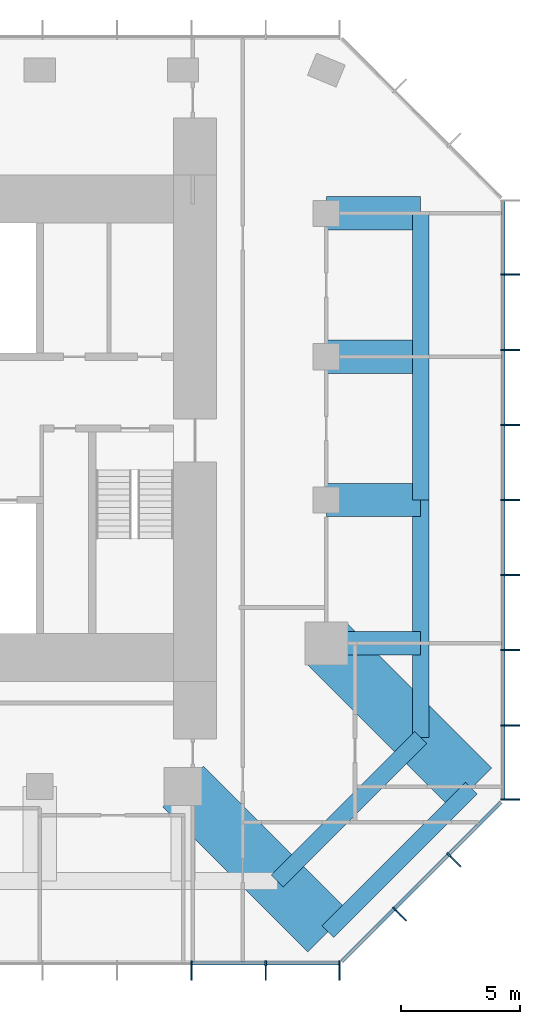
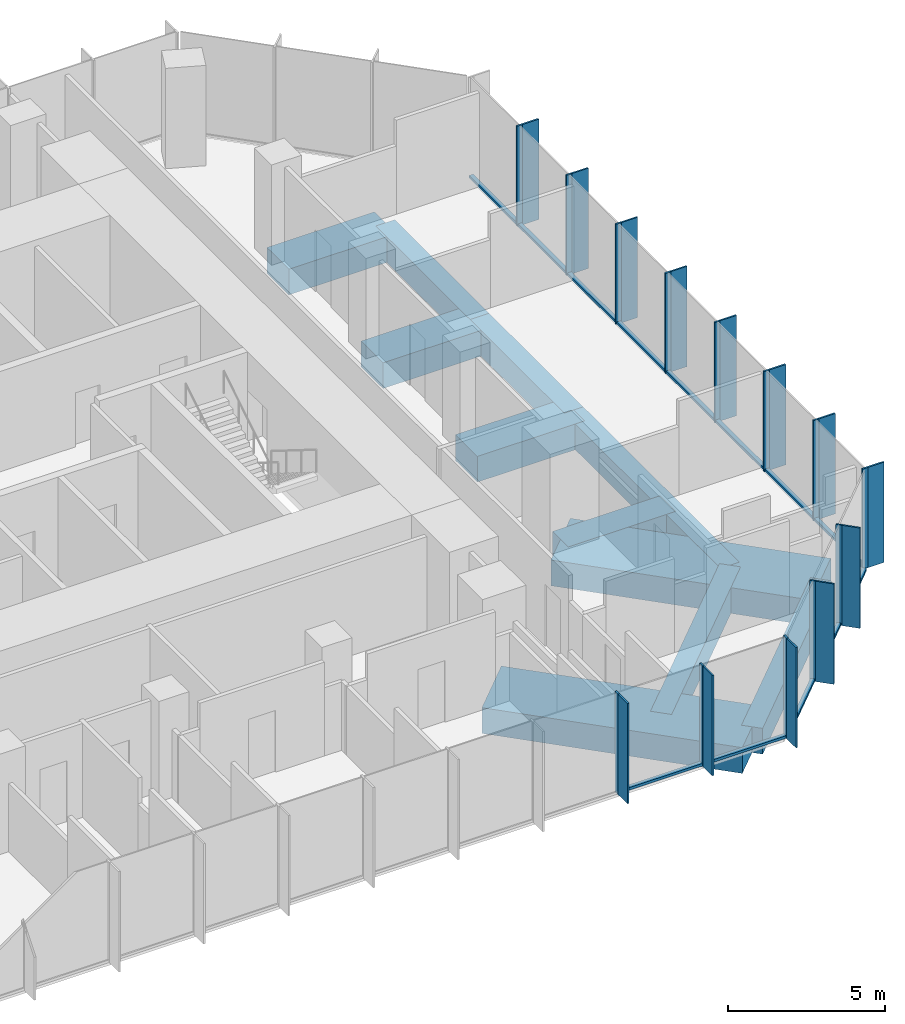
# One storey, part 4 of 11: 39 members, 11 beams, 3 elements without a shape of their own.
"""IFC4 building model written with IfcOpenShell, lengths in metres."""

from ifc_helpers import new_model, si_unit, direction, frame, origin, origin_2d, place, context, subcontext, project, spatial, rectangle, extrude, material, layer, layer_set, material_profile, profile_set, type_object, element, aggregate, save


model = new_model("IFC4")

# Units and contexts
model_context = context("Model", 3, precision=1e-05, world=origin(), true_north=direction((0.0, 1.0)))
body_context = subcontext(model_context, "Body", "Model", "MODEL_VIEW")
ifc_project = project(units=[si_unit("LENGTHUNIT", "METRE"), si_unit("AREAUNIT", "SQUARE_METRE"), si_unit("VOLUMEUNIT", "CUBIC_METRE"), si_unit("PLANEANGLEUNIT", "RADIAN"), si_unit("MASSUNIT", "GRAM", prefix="KILO")], contexts=[model_context])

# Site, building, storey
site_placement = place(None, origin())
site = spatial("IfcSite", under=ifc_project, at=site_placement, CompositionType="ELEMENT")
building_placement = place(site_placement, origin())
building = spatial("IfcBuilding", under=site, at=building_placement, Name="Highveld Stack Headquarters", CompositionType="ELEMENT")
storey_placement = place(building_placement, frame((0.0, 0.0, 276.199951171875)))
storey = spatial("IfcBuildingStorey", under=building, at=storey_placement, Name="L68", CompositionType="ELEMENT", Elevation=276.199951171875)

# Beams
ifc_material_1 = material(Name="Concrete C60/75", Category="concrete")
ifc_material_profile_1 = material_profile(ifc_material_1, rectangle(XDim=1.0, YDim=1.0, at=origin_2d()), Name="RC 1000x1000")
ifc_profile_set_1 = profile_set([ifc_material_profile_1], Name="Concrete C60/75")
beam_type_1 = type_object("IfcBeamType", Name="CANTILEVER RIB RC 1000x1000", PredefinedType="USERDEFINED", material=ifc_profile_set_1)
beam_1_placement = place(storey_placement, frame((24.0, -6.0, -0.75), z_axis=(1.0, 0.0, 0.0), x_axis=(0.0, 1.0, 0.0)))
element("IfcBeam", 1, at=beam_1_placement, inside=storey, type_object=beam_type_1, Name="Cantilever rib 10/D L68", ObjectType="CANTILEVER RIB", PredefinedType="USERDEFINED", context=body_context, shape_type="SweptSolid", body=[
    extrude(rectangle(XDim=1.0, YDim=1.0, at=origin_2d()), origin(), (0.0, 0.0, 1.0), 3.949951171875),
])
ifc_material_2 = material(Name="Concrete C60/75", Category="concrete")
ifc_material_profile_2 = material_profile(ifc_material_2, rectangle(XDim=1.39990234375, YDim=1.0, at=origin_2d()), Name="RC 1400x1000")
ifc_profile_set_2 = profile_set([ifc_material_profile_2], Name="Concrete C60/75")
beam_type_2 = type_object("IfcBeamType", Name="CANTILEVER RIB RC 1400x1000", PredefinedType="USERDEFINED", material=ifc_profile_set_2)
for number, where, z_axis, x_axis, name in (
    (2, (24.0, 0.0, -0.75), (1.0, 0.0, 0.0), (0.0, 1.0, 0.0), "Cantilever rib 10/E L68"),
    (3, (24.0, 6.0, -0.75), (1.0, 0.0, 0.0), (0.0, 1.0, 0.0), "Cantilever rib 10/F L68"),
    (4, (24.0, 12.0, -0.75), (1.0, 0.0, 0.0), (0.0, 1.0, 0.0), "Cantilever rib 10/G L68"),
):
    element("IfcBeam", number, at=place(storey_placement, frame(where, z_axis=z_axis, x_axis=x_axis)), inside=storey, type_object=beam_type_2, Name=name, ObjectType="CANTILEVER RIB", PredefinedType="USERDEFINED", context=body_context, shape_type="SweptSolid", body=[
        extrude(rectangle(XDim=1.39990234375, YDim=1.0, at=origin_2d()), origin(), (0.0, 0.0, 1.0), 3.949951171875),
    ])
ifc_material_3 = material(Name="Concrete C60/75", Category="concrete")
ifc_material_profile_3 = material_profile(ifc_material_3, rectangle(XDim=2.39990234375, YDim=1.0, at=origin_2d()), Name="RC 2400x1000")
ifc_profile_set_3 = profile_set([ifc_material_profile_3], Name="Concrete C60/75")
beam_type_3 = type_object("IfcBeamType", Name="CANTILEVER RIB RC 2400x1000", PredefinedType="USERDEFINED", material=ifc_profile_set_3)
for number, where, z_axis, x_axis, name in (
    (5, (18.0, -12.0, -0.75), (0.707106781187, -0.707106781187, 0.0), (0.707106781187, 0.707106781187, 0.0), "Cantilever rib 9/C L68"),
    (6, (24.0, -6.0, -0.75), (0.707106781187, -0.707106781187, 0.0), (0.707106781187, 0.707106781187, 0.0), "Cantilever rib 10/D L68"),
):
    element("IfcBeam", number, at=place(storey_placement, frame(where, z_axis=z_axis, x_axis=x_axis)), inside=storey, type_object=beam_type_3, Name=name, ObjectType="CANTILEVER RIB", PredefinedType="USERDEFINED", context=body_context, shape_type="SweptSolid", body=[
        extrude(rectangle(XDim=2.39990234375, YDim=1.0, at=origin_2d()), origin(), (0.0, 0.0, 1.0), 8.585693359375),
    ])

# Curtain wall, members
ifc_material_4 = material(Name="Aluminium bronze anodised", Category="aluminium")
ifc_layer = layer(ifc_material_4, 0.199951171875)
ifc_layer_set = layer_set([ifc_layer], Name="Aluminium bronze anodised")
curtain_wall_type = type_object("IfcCurtainWallType", Name="CW5 EXECUTIVE UNITISED CURTAIN WALL", PredefinedType="NOTDEFINED", material=ifc_layer_set)
curtain_wall_1_placement = place(storey_placement, origin())
curtain_wall_1 = element("IfcCurtainWall", 7, at=curtain_wall_1_placement, inside=storey, type_object=curtain_wall_type, Name="Curtain wall CW5 L68 S", PredefinedType="NOTDEFINED")
ifc_material_5 = material(Name="Aluminium bronze anodised", Category="aluminium")
ifc_material_profile_4 = material_profile(ifc_material_5, rectangle(XDim=0.60009765625, YDim=0.06005859375, at=origin_2d()), Name="FIN 600x60")
ifc_profile_set_4 = profile_set([ifc_material_profile_4], Name="Aluminium bronze anodised")
member_type_1 = type_object("IfcMemberType", Name="CW5 BRONZE FIN 600x60", PredefinedType="USERDEFINED", material=ifc_profile_set_4)
member_1_placement = place(storey_placement, frame((18.347900390625, -19.800048828125, 0.0), z_axis=(0.0, 0.0, 1.0), x_axis=(0.0, 1.0, 0.0)))
member_1 = element("IfcMember", 8, at=member_1_placement, type_object=member_type_1, Name="CW5 fin L68 9", ObjectType="FIN", PredefinedType="USERDEFINED", context=body_context, shape_type="SweptSolid", body=[
    extrude(rectangle(XDim=0.60009765625, YDim=0.06005859375, at=origin_2d()), origin(), (0.0, 0.0, 1.0), 3.900146484375),
])
member_2_placement = place(storey_placement, frame((21.4638671875, -19.800048828125, 0.0), z_axis=(0.0, 0.0, 1.0), x_axis=(0.0, 1.0, 0.0)))
member_2 = element("IfcMember", 9, at=member_2_placement, type_object=member_type_1, Name="CW5 fin L68 10", ObjectType="FIN", PredefinedType="USERDEFINED", context=body_context, shape_type="SweptSolid", body=[
    extrude(rectangle(XDim=0.60009765625, YDim=0.06005859375, at=origin_2d()), origin(), (0.0, 0.0, 1.0), 3.900146484375),
])
member_3_placement = place(storey_placement, frame((24.54736328125, -19.800048828125, 0.0), z_axis=(0.0, 0.0, 1.0), x_axis=(0.0, 1.0, 0.0)))
member_3 = element("IfcMember", 10, at=member_3_placement, type_object=member_type_1, Name="CW5 fin L68 11", ObjectType="FIN", PredefinedType="USERDEFINED", context=body_context, shape_type="SweptSolid", body=[
    extrude(rectangle(XDim=0.60009765625, YDim=0.06005859375, at=origin_2d()), origin(), (0.0, 0.0, 1.0), 3.900146484375),
])

curtain_wall_2_placement = place(storey_placement, origin())
curtain_wall_2 = element("IfcCurtainWall", 11, at=curtain_wall_2_placement, inside=storey, type_object=curtain_wall_type, Name="Curtain wall CW5 L68 SE", PredefinedType="NOTDEFINED")
member_4_placement = place(storey_placement, frame((27.135986328125, -17.409423828125, 0.0), z_axis=(0.0, 0.0, 1.0), x_axis=(-0.707106781187, 0.707106781187, 0.0)))
member_4 = element("IfcMember", 12, at=member_4_placement, type_object=member_type_1, Name="CW5 fin L68 1", ObjectType="FIN", PredefinedType="USERDEFINED", context=body_context, shape_type="SweptSolid", body=[
    extrude(rectangle(XDim=0.60009765625, YDim=0.06005859375, at=origin_2d()), origin(), (0.0, 0.0, 1.0), 3.900146484375),
])
member_5_placement = place(storey_placement, frame((29.409423828125, -15.135986328125, 0.0), z_axis=(0.0, 0.0, 1.0), x_axis=(-0.707106781187, 0.707106781187, 0.0)))
member_5 = element("IfcMember", 13, at=member_5_placement, type_object=member_type_1, Name="CW5 fin L68 2", ObjectType="FIN", PredefinedType="USERDEFINED", context=body_context, shape_type="SweptSolid", body=[
    extrude(rectangle(XDim=0.60009765625, YDim=0.06005859375, at=origin_2d()), origin(), (0.0, 0.0, 1.0), 3.900146484375),
])

curtain_wall_3_placement = place(storey_placement, origin())
curtain_wall_3 = element("IfcCurtainWall", 14, at=curtain_wall_3_placement, inside=storey, type_object=curtain_wall_type, Name="Curtain wall CW5 L68 E", PredefinedType="NOTDEFINED")
member_6_placement = place(storey_placement, frame((31.800048828125, -12.54736328125, 0.0), z_axis=(0.0, 0.0, 1.0), x_axis=(-1.0, 0.0, 0.0)))
member_6 = element("IfcMember", 15, at=member_6_placement, type_object=member_type_1, Name="CW5 fin L68 1", ObjectType="FIN", PredefinedType="USERDEFINED", context=body_context, shape_type="SweptSolid", body=[
    extrude(rectangle(XDim=0.60009765625, YDim=0.06005859375, at=origin_2d()), origin(), (0.0, 0.0, 1.0), 3.900146484375),
])
member_7_placement = place(storey_placement, frame((31.800048828125, -9.434814453125, 0.0), z_axis=(0.0, 0.0, 1.0), x_axis=(-1.0, 0.0, 0.0)))
member_7 = element("IfcMember", 16, at=member_7_placement, type_object=member_type_1, Name="CW5 fin L68 2", ObjectType="FIN", PredefinedType="USERDEFINED", context=body_context, shape_type="SweptSolid", body=[
    extrude(rectangle(XDim=0.60009765625, YDim=0.06005859375, at=origin_2d()), origin(), (0.0, 0.0, 1.0), 3.900146484375),
])
member_8_placement = place(storey_placement, frame((31.800048828125, -6.2900390625, 0.0), z_axis=(0.0, 0.0, 1.0), x_axis=(-1.0, 0.0, 0.0)))
member_8 = element("IfcMember", 17, at=member_8_placement, type_object=member_type_1, Name="CW5 fin L68 3", ObjectType="FIN", PredefinedType="USERDEFINED", context=body_context, shape_type="SweptSolid", body=[
    extrude(rectangle(XDim=0.60009765625, YDim=0.06005859375, at=origin_2d()), origin(), (0.0, 0.0, 1.0), 3.900146484375),
])
member_9_placement = place(storey_placement, frame((31.800048828125, -3.14501953125, 0.0), z_axis=(0.0, 0.0, 1.0), x_axis=(-1.0, 0.0, 0.0)))
member_9 = element("IfcMember", 18, at=member_9_placement, type_object=member_type_1, Name="CW5 fin L68 4", ObjectType="FIN", PredefinedType="USERDEFINED", context=body_context, shape_type="SweptSolid", body=[
    extrude(rectangle(XDim=0.60009765625, YDim=0.06005859375, at=origin_2d()), origin(), (0.0, 0.0, 1.0), 3.900146484375),
])
member_10_placement = place(storey_placement, frame((31.800048828125, 0.0, 0.0), z_axis=(0.0, 0.0, 1.0), x_axis=(-1.0, 0.0, 0.0)))
member_10 = element("IfcMember", 19, at=member_10_placement, type_object=member_type_1, Name="CW5 fin L68 5", ObjectType="FIN", PredefinedType="USERDEFINED", context=body_context, shape_type="SweptSolid", body=[
    extrude(rectangle(XDim=0.60009765625, YDim=0.06005859375, at=origin_2d()), origin(), (0.0, 0.0, 1.0), 3.900146484375),
])
member_11_placement = place(storey_placement, frame((31.800048828125, 3.14501953125, 0.0), z_axis=(0.0, 0.0, 1.0), x_axis=(-1.0, 0.0, 0.0)))
member_11 = element("IfcMember", 20, at=member_11_placement, type_object=member_type_1, Name="CW5 fin L68 6", ObjectType="FIN", PredefinedType="USERDEFINED", context=body_context, shape_type="SweptSolid", body=[
    extrude(rectangle(XDim=0.60009765625, YDim=0.06005859375, at=origin_2d()), origin(), (0.0, 0.0, 1.0), 3.900146484375),
])
member_12_placement = place(storey_placement, frame((31.800048828125, 6.289794921875, 0.0), z_axis=(0.0, 0.0, 1.0), x_axis=(-1.0, 0.0, 0.0)))
member_12 = element("IfcMember", 21, at=member_12_placement, type_object=member_type_1, Name="CW5 fin L68 7", ObjectType="FIN", PredefinedType="USERDEFINED", context=body_context, shape_type="SweptSolid", body=[
    extrude(rectangle(XDim=0.60009765625, YDim=0.06005859375, at=origin_2d()), origin(), (0.0, 0.0, 1.0), 3.900146484375),
])
member_13_placement = place(storey_placement, frame((31.800048828125, 9.434814453125, 0.0), z_axis=(0.0, 0.0, 1.0), x_axis=(-1.0, 0.0, 0.0)))
member_13 = element("IfcMember", 22, at=member_13_placement, type_object=member_type_1, Name="CW5 fin L68 8", ObjectType="FIN", PredefinedType="USERDEFINED", context=body_context, shape_type="SweptSolid", body=[
    extrude(rectangle(XDim=0.60009765625, YDim=0.06005859375, at=origin_2d()), origin(), (0.0, 0.0, 1.0), 3.900146484375),
])

# Member
ifc_material_6 = material(Name="Aluminium bronze anodised", Category="aluminium")
ifc_material_profile_5 = material_profile(ifc_material_6, rectangle(XDim=0.199951171875, YDim=0.06494140625, at=origin_2d()), Name="CW5 MULLION 65x200")
ifc_profile_set_5 = profile_set([ifc_material_profile_5], Name="Aluminium bronze anodised")
member_type_2 = type_object("IfcMemberType", Name="CW5 MULLION 65x200", PredefinedType="MULLION", material=ifc_profile_set_5)
member_14_placement = place(storey_placement, frame((18.347900390625, -19.39990234375, 0.0), z_axis=(0.0, 0.0, 1.0), x_axis=(0.0, 1.0, 0.0)))
member_14 = element("IfcMember", 23, at=member_14_placement, type_object=member_type_2, Name="CW5 mullion L68 9", PredefinedType="MULLION", context=body_context, shape_type="SweptSolid", body=[
    extrude(rectangle(XDim=0.199951171875, YDim=0.06494140625, at=origin_2d()), origin(), (0.0, 0.0, 1.0), 3.900146484375),
])

member_15_placement = place(storey_placement, frame((21.4638671875, -19.39990234375, 0.0), z_axis=(0.0, 0.0, 1.0), x_axis=(0.0, 1.0, 0.0)))
member_15 = element("IfcMember", 24, at=member_15_placement, type_object=member_type_2, Name="CW5 mullion L68 10", PredefinedType="MULLION", context=body_context, shape_type="SweptSolid", body=[
    extrude(rectangle(XDim=0.199951171875, YDim=0.06494140625, at=origin_2d()), origin(), (0.0, 0.0, 1.0), 3.900146484375),
])

member_16_placement = place(storey_placement, frame((24.54736328125, -19.39990234375, 0.0), z_axis=(0.0, 0.0, 1.0), x_axis=(0.0, 1.0, 0.0)))
member_16 = element("IfcMember", 25, at=member_16_placement, type_object=member_type_2, Name="CW5 mullion L68 11", PredefinedType="MULLION", context=body_context, shape_type="SweptSolid", body=[
    extrude(rectangle(XDim=0.199951171875, YDim=0.06494140625, at=origin_2d()), origin(), (0.0, 0.0, 1.0), 3.900146484375),
])

member_17_placement = place(storey_placement, frame((26.853271484375, -17.126708984375, 0.0), z_axis=(0.0, 0.0, 1.0), x_axis=(-0.707106781187, 0.707106781187, 0.0)))
member_17 = element("IfcMember", 26, at=member_17_placement, type_object=member_type_2, Name="CW5 mullion L68 1", PredefinedType="MULLION", context=body_context, shape_type="SweptSolid", body=[
    extrude(rectangle(XDim=0.199951171875, YDim=0.06494140625, at=origin_2d()), origin(), (0.0, 0.0, 1.0), 3.900146484375),
])

member_18_placement = place(storey_placement, frame((29.126708984375, -14.853271484375, 0.0), z_axis=(0.0, 0.0, 1.0), x_axis=(-0.707106781187, 0.707106781187, 0.0)))
member_18 = element("IfcMember", 27, at=member_18_placement, type_object=member_type_2, Name="CW5 mullion L68 2", PredefinedType="MULLION", context=body_context, shape_type="SweptSolid", body=[
    extrude(rectangle(XDim=0.199951171875, YDim=0.06494140625, at=origin_2d()), origin(), (0.0, 0.0, 1.0), 3.900146484375),
])

member_19_placement = place(storey_placement, frame((31.39990234375, -12.54736328125, 0.0), z_axis=(0.0, 0.0, 1.0), x_axis=(-1.0, 0.0, 0.0)))
member_19 = element("IfcMember", 28, at=member_19_placement, type_object=member_type_2, Name="CW5 mullion L68 1", PredefinedType="MULLION", context=body_context, shape_type="SweptSolid", body=[
    extrude(rectangle(XDim=0.199951171875, YDim=0.06494140625, at=origin_2d()), origin(), (0.0, 0.0, 1.0), 3.900146484375),
])

member_20_placement = place(storey_placement, frame((31.39990234375, -9.434814453125, 0.0), z_axis=(0.0, 0.0, 1.0), x_axis=(-1.0, 0.0, 0.0)))
member_20 = element("IfcMember", 29, at=member_20_placement, type_object=member_type_2, Name="CW5 mullion L68 2", PredefinedType="MULLION", context=body_context, shape_type="SweptSolid", body=[
    extrude(rectangle(XDim=0.199951171875, YDim=0.06494140625, at=origin_2d()), origin(), (0.0, 0.0, 1.0), 3.900146484375),
])

member_21_placement = place(storey_placement, frame((31.39990234375, -6.2900390625, 0.0), z_axis=(0.0, 0.0, 1.0), x_axis=(-1.0, 0.0, 0.0)))
member_21 = element("IfcMember", 30, at=member_21_placement, type_object=member_type_2, Name="CW5 mullion L68 3", PredefinedType="MULLION", context=body_context, shape_type="SweptSolid", body=[
    extrude(rectangle(XDim=0.199951171875, YDim=0.06494140625, at=origin_2d()), origin(), (0.0, 0.0, 1.0), 3.900146484375),
])

member_22_placement = place(storey_placement, frame((31.39990234375, -3.14501953125, 0.0), z_axis=(0.0, 0.0, 1.0), x_axis=(-1.0, 0.0, 0.0)))
member_22 = element("IfcMember", 31, at=member_22_placement, type_object=member_type_2, Name="CW5 mullion L68 4", PredefinedType="MULLION", context=body_context, shape_type="SweptSolid", body=[
    extrude(rectangle(XDim=0.199951171875, YDim=0.06494140625, at=origin_2d()), origin(), (0.0, 0.0, 1.0), 3.900146484375),
])

member_23_placement = place(storey_placement, frame((31.39990234375, 0.0, 0.0), z_axis=(0.0, 0.0, 1.0), x_axis=(-1.0, 0.0, 0.0)))
member_23 = element("IfcMember", 32, at=member_23_placement, type_object=member_type_2, Name="CW5 mullion L68 5", PredefinedType="MULLION", context=body_context, shape_type="SweptSolid", body=[
    extrude(rectangle(XDim=0.199951171875, YDim=0.06494140625, at=origin_2d()), origin(), (0.0, 0.0, 1.0), 3.900146484375),
])

member_24_placement = place(storey_placement, frame((31.39990234375, 3.14501953125, 0.0), z_axis=(0.0, 0.0, 1.0), x_axis=(-1.0, 0.0, 0.0)))
member_24 = element("IfcMember", 33, at=member_24_placement, type_object=member_type_2, Name="CW5 mullion L68 6", PredefinedType="MULLION", context=body_context, shape_type="SweptSolid", body=[
    extrude(rectangle(XDim=0.199951171875, YDim=0.06494140625, at=origin_2d()), origin(), (0.0, 0.0, 1.0), 3.900146484375),
])

member_25_placement = place(storey_placement, frame((31.39990234375, 6.289794921875, 0.0), z_axis=(0.0, 0.0, 1.0), x_axis=(-1.0, 0.0, 0.0)))
member_25 = element("IfcMember", 34, at=member_25_placement, type_object=member_type_2, Name="CW5 mullion L68 7", PredefinedType="MULLION", context=body_context, shape_type="SweptSolid", body=[
    extrude(rectangle(XDim=0.199951171875, YDim=0.06494140625, at=origin_2d()), origin(), (0.0, 0.0, 1.0), 3.900146484375),
])

member_26_placement = place(storey_placement, frame((31.39990234375, 9.434814453125, 0.0), z_axis=(0.0, 0.0, 1.0), x_axis=(-1.0, 0.0, 0.0)))
member_26 = element("IfcMember", 35, at=member_26_placement, type_object=member_type_2, Name="CW5 mullion L68 8", PredefinedType="MULLION", context=body_context, shape_type="SweptSolid", body=[
    extrude(rectangle(XDim=0.199951171875, YDim=0.06494140625, at=origin_2d()), origin(), (0.0, 0.0, 1.0), 3.900146484375),
])

ifc_material_7 = material(Name="Aluminium bronze anodised", Category="aluminium")
ifc_material_profile_6 = material_profile(ifc_material_7, rectangle(XDim=0.14990234375, YDim=0.10009765625, at=origin_2d()), Name="CW5 TRANSOM 150x100")
ifc_profile_set_6 = profile_set([ifc_material_profile_6], Name="Aluminium bronze anodised")
member_type_3 = type_object("IfcMemberType", Name="CW5 STACK TRANSOM 150x100", PredefinedType="USERDEFINED", material=ifc_profile_set_6)
member_27_placement = place(storey_placement, frame((18.38037109375, -19.39990234375, 0.050048828125), z_axis=(1.0, 0.0, 0.0), x_axis=(0.0, 1.0, 0.0)))
member_27 = element("IfcMember", 36, at=member_27_placement, type_object=member_type_3, Name="CW5 transom L68 9.1", ObjectType="TRANSOM", PredefinedType="USERDEFINED", context=body_context, shape_type="SweptSolid", body=[
    extrude(rectangle(XDim=0.14990234375, YDim=0.10009765625, at=origin_2d()), origin(), (0.0, 0.0, 1.0), 3.051025390625),
])

member_28_placement = place(storey_placement, frame((21.496337890625, -19.39990234375, 0.050048828125), z_axis=(1.0, 0.0, 0.0), x_axis=(0.0, 1.0, 0.0)))
member_28 = element("IfcMember", 37, at=member_28_placement, type_object=member_type_3, Name="CW5 transom L68 10.1", ObjectType="TRANSOM", PredefinedType="USERDEFINED", context=body_context, shape_type="SweptSolid", body=[
    extrude(rectangle(XDim=0.14990234375, YDim=0.10009765625, at=origin_2d()), origin(), (0.0, 0.0, 1.0), 3.0185546875),
])

aggregate(curtain_wall_1, [member_14, member_1, member_15, member_2, member_16, member_3, member_27, member_28])

member_29_placement = place(storey_placement, frame((24.650634765625, -19.329345703125, 0.050048828125), z_axis=(0.707106781187, 0.707106781187, 0.0), x_axis=(-0.707106781187, 0.707106781187, 0.0)))
member_29 = element("IfcMember", 38, at=member_29_placement, type_object=member_type_3, Name="CW5 transom L68 1.1", ObjectType="TRANSOM", PredefinedType="USERDEFINED", context=body_context, shape_type="SweptSolid", body=[
    extrude(rectangle(XDim=0.14990234375, YDim=0.10009765625, at=origin_2d()), origin(), (0.0, 0.0, 1.0), 3.08251953125),
])

member_30_placement = place(storey_placement, frame((26.876220703125, -17.103759765625, 0.050048828125), z_axis=(0.707106781187, 0.707106781187, 0.0), x_axis=(-0.707106781187, 0.707106781187, 0.0)))
member_30 = element("IfcMember", 39, at=member_30_placement, type_object=member_type_3, Name="CW5 transom L68 2.1", ObjectType="TRANSOM", PredefinedType="USERDEFINED", context=body_context, shape_type="SweptSolid", body=[
    extrude(rectangle(XDim=0.14990234375, YDim=0.10009765625, at=origin_2d()), origin(), (0.0, 0.0, 1.0), 3.150146484375),
])

member_31_placement = place(storey_placement, frame((29.149658203125, -14.830322265625, 0.050048828125), z_axis=(0.707106781187, 0.707106781187, 0.0), x_axis=(-0.707106781187, 0.707106781187, 0.0)))
member_31 = element("IfcMember", 40, at=member_31_placement, type_object=member_type_3, Name="CW5 transom L68 3.1", ObjectType="TRANSOM", PredefinedType="USERDEFINED", context=body_context, shape_type="SweptSolid", body=[
    extrude(rectangle(XDim=0.14990234375, YDim=0.10009765625, at=origin_2d()), origin(), (0.0, 0.0, 1.0), 3.08251953125),
])

aggregate(curtain_wall_2, [member_17, member_4, member_18, member_5, member_29, member_30, member_31])

member_32_placement = place(storey_placement, frame((31.39990234375, -12.514892578125, 0.050048828125), z_axis=(0.0, 1.0, 0.0), x_axis=(-1.0, 0.0, 0.0)))
member_32 = element("IfcMember", 41, at=member_32_placement, type_object=member_type_3, Name="CW5 transom L68 1.1", ObjectType="TRANSOM", PredefinedType="USERDEFINED", context=body_context, shape_type="SweptSolid", body=[
    extrude(rectangle(XDim=0.14990234375, YDim=0.10009765625, at=origin_2d()), origin(), (0.0, 0.0, 1.0), 3.047607421875),
])

member_33_placement = place(storey_placement, frame((31.39990234375, -9.40234375, 0.050048828125), z_axis=(0.0, 1.0, 0.0), x_axis=(-1.0, 0.0, 0.0)))
member_33 = element("IfcMember", 42, at=member_33_placement, type_object=member_type_3, Name="CW5 transom L68 2.1", ObjectType="TRANSOM", PredefinedType="USERDEFINED", context=body_context, shape_type="SweptSolid", body=[
    extrude(rectangle(XDim=0.14990234375, YDim=0.10009765625, at=origin_2d()), origin(), (0.0, 0.0, 1.0), 3.079833984375),
])

member_34_placement = place(storey_placement, frame((31.39990234375, -6.257568359375, 0.050048828125), z_axis=(0.0, 1.0, 0.0), x_axis=(-1.0, 0.0, 0.0)))
member_34 = element("IfcMember", 43, at=member_34_placement, type_object=member_type_3, Name="CW5 transom L68 3.1", ObjectType="TRANSOM", PredefinedType="USERDEFINED", context=body_context, shape_type="SweptSolid", body=[
    extrude(rectangle(XDim=0.14990234375, YDim=0.10009765625, at=origin_2d()), origin(), (0.0, 0.0, 1.0), 3.080078125),
])

member_35_placement = place(storey_placement, frame((31.39990234375, -3.112548828125, 0.050048828125), z_axis=(0.0, 1.0, 0.0), x_axis=(-1.0, 0.0, 0.0)))
member_35 = element("IfcMember", 44, at=member_35_placement, type_object=member_type_3, Name="CW5 transom L68 4.1", ObjectType="TRANSOM", PredefinedType="USERDEFINED", context=body_context, shape_type="SweptSolid", body=[
    extrude(rectangle(XDim=0.14990234375, YDim=0.10009765625, at=origin_2d()), origin(), (0.0, 0.0, 1.0), 3.080078125),
])

member_36_placement = place(storey_placement, frame((31.39990234375, 0.032470703125, 0.050048828125), z_axis=(0.0, 1.0, 0.0), x_axis=(-1.0, 0.0, 0.0)))
member_36 = element("IfcMember", 45, at=member_36_placement, type_object=member_type_3, Name="CW5 transom L68 5.1", ObjectType="TRANSOM", PredefinedType="USERDEFINED", context=body_context, shape_type="SweptSolid", body=[
    extrude(rectangle(XDim=0.14990234375, YDim=0.10009765625, at=origin_2d()), origin(), (0.0, 0.0, 1.0), 3.080078125),
])

member_37_placement = place(storey_placement, frame((31.39990234375, 3.177490234375, 0.050048828125), z_axis=(0.0, 1.0, 0.0), x_axis=(-1.0, 0.0, 0.0)))
member_37 = element("IfcMember", 46, at=member_37_placement, type_object=member_type_3, Name="CW5 transom L68 6.1", ObjectType="TRANSOM", PredefinedType="USERDEFINED", context=body_context, shape_type="SweptSolid", body=[
    extrude(rectangle(XDim=0.14990234375, YDim=0.10009765625, at=origin_2d()), origin(), (0.0, 0.0, 1.0), 3.080078125),
])

member_38_placement = place(storey_placement, frame((31.39990234375, 6.322509765625, 0.050048828125), z_axis=(0.0, 1.0, 0.0), x_axis=(-1.0, 0.0, 0.0)))
member_38 = element("IfcMember", 47, at=member_38_placement, type_object=member_type_3, Name="CW5 transom L68 7.1", ObjectType="TRANSOM", PredefinedType="USERDEFINED", context=body_context, shape_type="SweptSolid", body=[
    extrude(rectangle(XDim=0.14990234375, YDim=0.10009765625, at=origin_2d()), origin(), (0.0, 0.0, 1.0), 3.079833984375),
])

member_39_placement = place(storey_placement, frame((31.39990234375, 9.46728515625, 0.050048828125), z_axis=(0.0, 1.0, 0.0), x_axis=(-1.0, 0.0, 0.0)))
member_39 = element("IfcMember", 48, at=member_39_placement, type_object=member_type_3, Name="CW5 transom L68 8.1", ObjectType="TRANSOM", PredefinedType="USERDEFINED", context=body_context, shape_type="SweptSolid", body=[
    extrude(rectangle(XDim=0.14990234375, YDim=0.10009765625, at=origin_2d()), origin(), (0.0, 0.0, 1.0), 3.047607421875),
])

aggregate(curtain_wall_3, [member_19, member_6, member_20, member_7, member_21, member_8, member_22, member_9, member_23, member_10, member_24, member_11, member_25, member_12, member_26, member_13, member_32, member_33, member_34, member_35, member_36, member_37, member_38, member_39])

# Beams
ifc_material_8 = material(Name="Concrete C60/75", Category="concrete")
ifc_material_profile_7 = material_profile(ifc_material_8, rectangle(XDim=0.699951171875, YDim=1.0, at=origin_2d()), Name="RC 700x1000")
ifc_profile_set_7 = profile_set([ifc_material_profile_7], Name="Concrete C60/75")
beam_type_4 = type_object("IfcBeamType", Name="RIB TIP BEAM RC 700x1000", PredefinedType="SPANDREL", material=ifc_profile_set_7)
beam_2_placement = place(storey_placement, frame((27.949951171875, -9.949951171875, -0.75), z_axis=(0.0, 1.0, 0.0), x_axis=(-1.0, 0.0, 0.0)))
element("IfcBeam", 49, at=beam_2_placement, inside=storey, type_object=beam_type_4, Name="Rib tip beam 10/D to 10/E L68", PredefinedType="SPANDREL", context=body_context, shape_type="SweptSolid", body=[
    extrude(rectangle(XDim=0.699951171875, YDim=1.0, at=origin_2d()), origin(), (0.0, 0.0, 1.0), 9.949951171875),
])
for number, where, z_axis, x_axis, name in (
    (50, (27.949951171875, 0.0, -0.75), (0.0, 1.0, 0.0), (-1.0, 0.0, 0.0), "Rib tip beam 10/E to 10/F L68"),
    (51, (27.949951171875, 6.0, -0.75), (0.0, 1.0, 0.0), (-1.0, 0.0, 0.0), "Rib tip beam 10/F to 10/G L68"),
):
    element("IfcBeam", number, at=place(storey_placement, frame(where, z_axis=z_axis, x_axis=x_axis)), inside=storey, type_object=beam_type_4, Name=name, PredefinedType="SPANDREL", context=body_context, shape_type="SweptSolid", body=[
        extrude(rectangle(XDim=0.699951171875, YDim=1.0, at=origin_2d()), origin(), (0.0, 0.0, 1.0), 6.0),
    ])
for number, where, z_axis, x_axis, name in (
    (52, (21.949951171875, -15.949951171875, -0.75), (0.707106781187, 0.707106781187, 0.0), (-0.707106781187, 0.707106781187, 0.0), "Rib tip beam 9/C to 10/D chamfer L68"),
    (53, (24.071044921875, -18.071044921875, -0.75), (0.707106781187, 0.707106781187, 0.0), (-0.707106781187, 0.707106781187, 0.0), "Rib tip beam 9/C to 10/D chamfer edge L68"),
):
    element("IfcBeam", number, at=place(storey_placement, frame(where, z_axis=z_axis, x_axis=x_axis)), inside=storey, type_object=beam_type_4, Name=name, PredefinedType="SPANDREL", context=body_context, shape_type="SweptSolid", body=[
        extrude(rectangle(XDim=0.699951171875, YDim=1.0, at=origin_2d()), origin(), (0.0, 0.0, 1.0), 8.4853515625),
    ])

save(model, "model.ifc")
